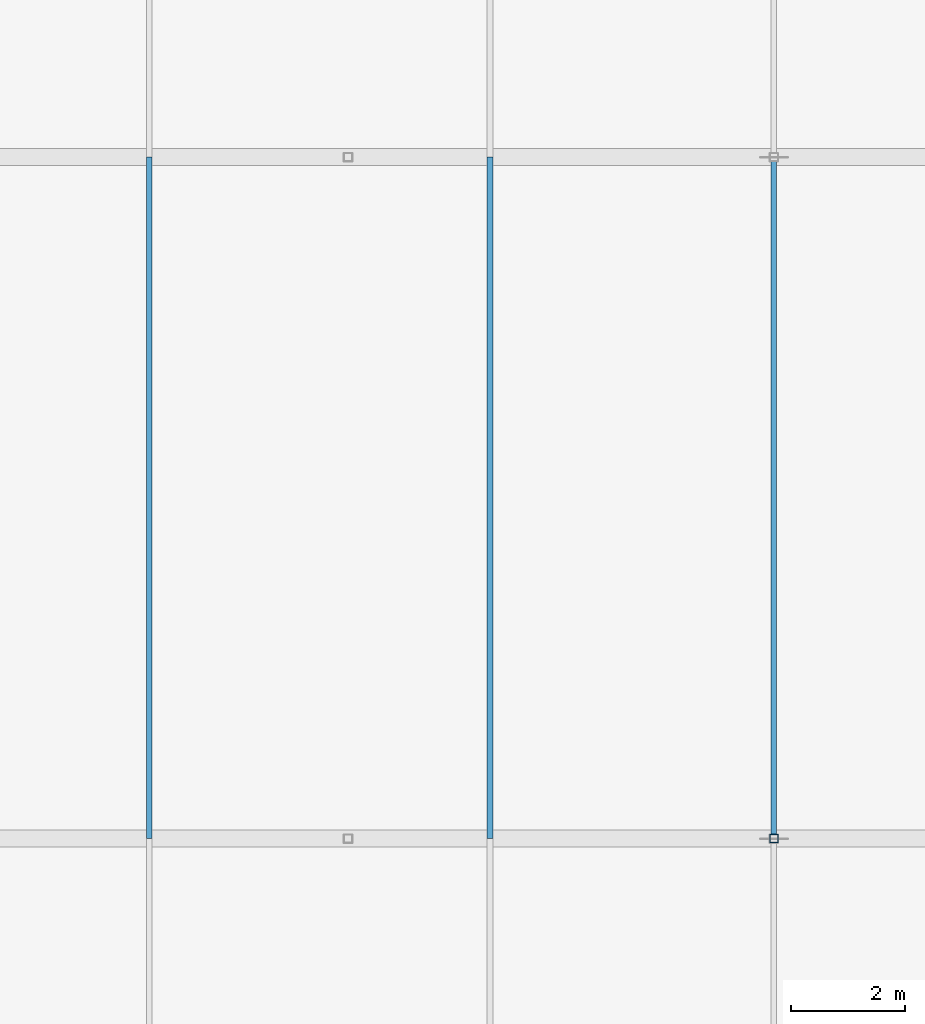
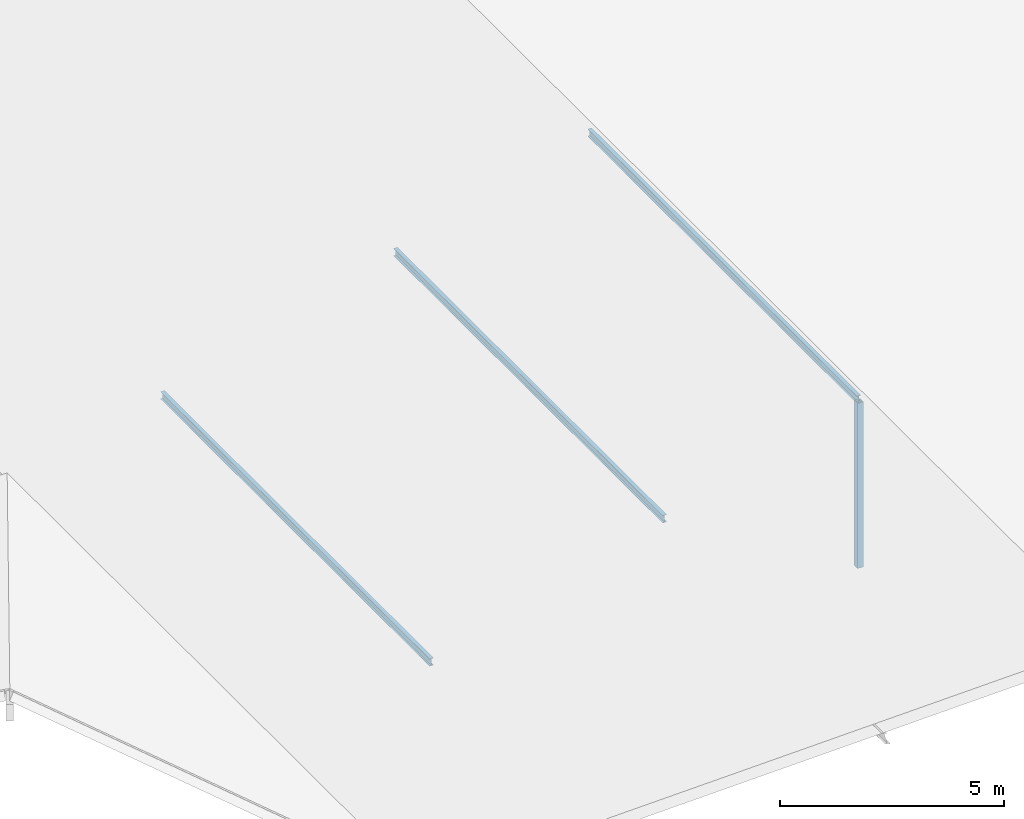
# One storey, part 53 of 204: 4 members.
"""IFC4 building model written with IfcOpenShell, lengths in metres."""

from ifc_helpers import new_model, si_unit, direction, frame, origin, origin_2d, place, context, subcontext, project, spatial, hollow_rectangle, i_section, extrude, material, material_profile, profile_set, type_object, element, save


model = new_model("IFC4")

# Units and contexts
model_context = context("Model", 3, precision=1e-05, world=origin(), true_north=direction((0.0, 1.0)))
body_context = subcontext(model_context, "Body", "Model", "MODEL_VIEW")
ifc_project = project(units=[si_unit("LENGTHUNIT", "METRE"), si_unit("AREAUNIT", "SQUARE_METRE"), si_unit("VOLUMEUNIT", "CUBIC_METRE"), si_unit("PLANEANGLEUNIT", "RADIAN"), si_unit("MASSUNIT", "GRAM", prefix="KILO")], contexts=[model_context])

# Site, building, storey
site_placement = place(None, origin())
site = spatial("IfcSite", under=ifc_project, at=site_placement, CompositionType="ELEMENT")
building_placement = place(site_placement, origin())
building = spatial("IfcBuilding", under=site, at=building_placement, Name="Zilviju Railside Exhibition Hall", CompositionType="ELEMENT")
storey_placement = place(building_placement, frame((0.0, 0.0, 21.0)))
storey = spatial("IfcBuildingStorey", under=building, at=storey_placement, Name="RF", CompositionType="ELEMENT", Elevation=21.0)

# Members
ifc_material = material(Name="Steel S355J2", Category="steel")
ifc_material_profile_1 = material_profile(ifc_material, hollow_rectangle(XDim=0.14990234375, YDim=0.14990234375, WallThickness=0.008056640625, at=origin_2d()), Name="SHS 150x150x8.0")
ifc_profile_set_1 = profile_set([ifc_material_profile_1], Name="Steel S355J2")
member_type_1 = type_object("IfcMemberType", Name="TR-POST-SHS150", PredefinedType="POST", material=ifc_profile_set_1)
member_placement = place(storey_placement, frame((63.0, 66.0, -8.39990234375), z_axis=(0.0, 0.0, 1.0), x_axis=(1.0, 0.0, 0.0)))
element("IfcMember", 1, at=member_placement, inside=storey, type_object=member_type_1, Name="Concourse Saddle King Post Y=66.0", PredefinedType="POST", context=body_context, shape_type="SweptSolid", body=[
    extrude(hollow_rectangle(XDim=0.14990234375, YDim=0.14990234375, WallThickness=0.008056640625, at=origin_2d()), origin(), (0.0, 0.0, 1.0), 4.5),
])
ifc_material_profile_2 = material_profile(ifc_material, i_section(OverallWidth=0.10009765625, OverallDepth=0.199951171875, WebThickness=0.005615234375, FlangeThickness=0.008544921875, at=origin_2d()), Name="IPE 200")
ifc_profile_set_2 = profile_set([ifc_material_profile_2], Name="Steel S355J2")
member_type_2 = type_object("IfcMemberType", Name="TR-PUR-IPE200", PredefinedType="PURLIN", material=ifc_profile_set_2)
for number, where, z_axis, x_axis, name in (
    (2, (52.0, 66.0, -7.159912109375), (0.0, 1.0, 0.0), (-1.0, 0.0, 0.0), "Concourse Lantern Purlin X=52.0"),
    (3, (58.0, 66.0, -5.360107421875), (0.0, 1.0, 0.0), (-1.0, 0.0, 0.0), "Concourse Lantern Purlin X=58.0"),
    (4, (63.0, 66.0, -3.860107421875), (0.0, 1.0, 0.0), (-1.0, 0.0, 0.0), "Concourse Lantern Purlin X=63.0"),
):
    element("IfcMember", number, at=place(storey_placement, frame(where, z_axis=z_axis, x_axis=x_axis)), inside=storey, type_object=member_type_2, Name=name, PredefinedType="PURLIN", context=body_context, shape_type="SweptSolid", body=[
        extrude(i_section(OverallWidth=0.10009765625, OverallDepth=0.199951171875, WebThickness=0.005615234375, FlangeThickness=0.008544921875, at=origin_2d()), origin(), (0.0, 0.0, 1.0), 12.0),
    ])

save(model, "model.ifc")
